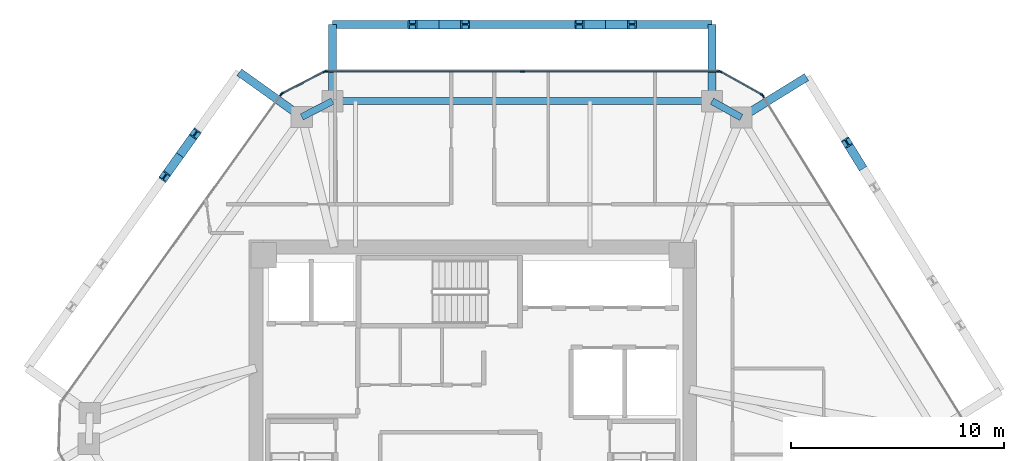
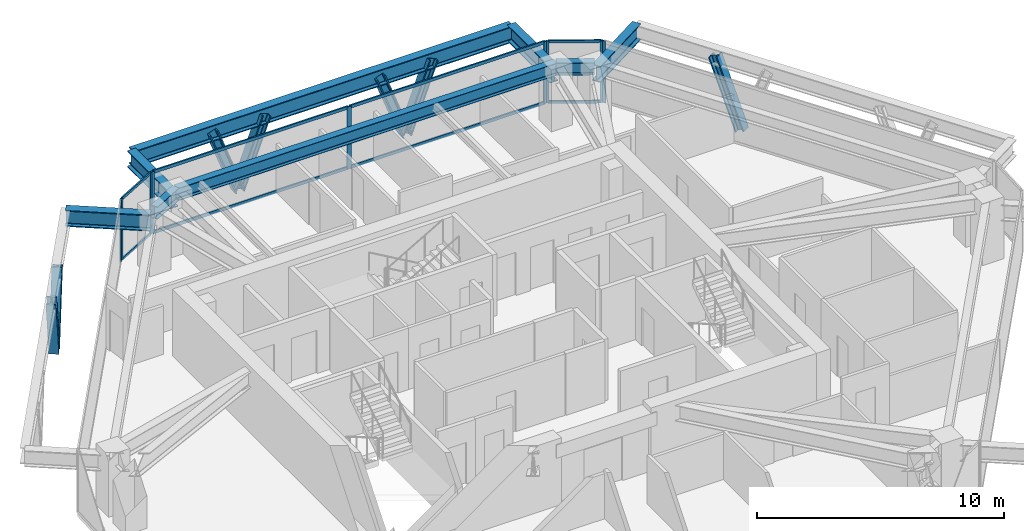
# One storey, part 6 of 11: 24 members, 8 beams, 5 elements without a shape of their own.
"""IFC4 building model written with IfcOpenShell, lengths in metres."""

from ifc_helpers import new_model, si_unit, direction, frame, origin, origin_2d, place, context, subcontext, project, spatial, rectangle, i_section, extrude, source, transform, mapped, material, layer, layer_set, material_profile, profile_set, type_object, type_shapes, element, aggregate, save


model = new_model("IFC4")

# Units and contexts
model_context = context("Model", 3, precision=1e-05, world=origin(), true_north=direction((0.0, 1.0)))
body_context = subcontext(model_context, "Body", "Model", "MODEL_VIEW")
ifc_project = project(units=[si_unit("LENGTHUNIT", "METRE"), si_unit("AREAUNIT", "SQUARE_METRE"), si_unit("VOLUMEUNIT", "CUBIC_METRE"), si_unit("PLANEANGLEUNIT", "RADIAN"), si_unit("MASSUNIT", "GRAM", prefix="KILO")], contexts=[model_context])

# Site, building, storey
site_placement = place(None, origin())
site = spatial("IfcSite", under=ifc_project, at=site_placement, CompositionType="ELEMENT")
building_placement = place(site_placement, origin())
building = spatial("IfcBuilding", under=site, at=building_placement, Name="Durnholm Broadcast Tower", CompositionType="ELEMENT")
storey_placement = place(building_placement, frame((0.0, 0.0, 177.10009765625)))
storey = spatial("IfcBuildingStorey", under=building, at=storey_placement, Name="L48", CompositionType="ELEMENT", Elevation=177.10009765625)

# Beams
ifc_material_1 = material(Name="Steel ASTM A992 Grade 50", Category="steel")
ifc_material_profile_1 = material_profile(ifc_material_1, i_section(OverallWidth=0.385009765625, OverallDepth=0.802978515625, WebThickness=0.023681640625, FlangeThickness=0.0419921875, FilletRadius=0.032958984375, at=origin_2d()), Name="W30X261")
ifc_profile_set_1 = profile_set([ifc_material_profile_1], Name="Steel ASTM A992 Grade 50")
beam_type_1 = type_object("IfcBeamType", Name="BM-EXO-TIE", PredefinedType="USERDEFINED", material=ifc_profile_set_1)
shared_shape_1 = source(origin(), body_context, "Body", "SweptSolid", [
    extrude(i_section(OverallWidth=0.385009765625, OverallDepth=0.802978515625, WebThickness=0.023681640625, FlangeThickness=0.0419921875, FilletRadius=0.032958984375, at=origin_2d()), origin(), (0.0, 0.0, 1.0), 3.4560546875),
])
for number, where, z_axis, x_axis, name in (
    (1, (12.713134765625, 14.327880859375, 2.308349609375), (0.850662348375, 0.525712439512, 0.0), (-0.525712439512, 0.850662348375, 0.0), "L48 exoskeleton stand-off tie bracket F3.2"),
    (2, (-8.138916015625, 14.360107421875, 2.308349609375), (-0.813079048773, 0.582153296346, 0.0), (-0.582153296346, -0.813079048773, 0.0), "L48 exoskeleton stand-off tie bracket F5.1"),
):
    element("IfcBeam", number, at=place(storey_placement, frame(where, z_axis=z_axis, x_axis=x_axis)), inside=storey, type_object=beam_type_1, Name=name, ObjectType="GIRDER", PredefinedType="USERDEFINED", context=body_context, shape_type="MappedRepresentation", body=[
        mapped(shared_shape_1, transform((0.0, 0.0, 0.0), x_axis=(1.0, 0.0, 0.0), y_axis=(0.0, 1.0, 0.0), z_axis=(0.0, 0.0, 1.0), scale=1.0)),
    ])
shared_shape_2 = source(origin(), body_context, "Body", "SweptSolid", [
    extrude(i_section(OverallWidth=0.385009765625, OverallDepth=0.802978515625, WebThickness=0.023681640625, FlangeThickness=0.0419921875, FilletRadius=0.032958984375, at=origin_2d()), origin(), (0.0, 0.0, 1.0), 3.455810546875),
])
for number, where, z_axis, x_axis, name in (
    (3, (11.217529296875, 15.162109375, 2.308349609375), (0.0, 1.0, 0.0), (-1.0, 0.0, 0.0), "L48 exoskeleton stand-off tie bracket F4.1"),
    (4, (-6.57861328125, 15.162109375, 2.308349609375), (0.0, 1.0, 0.0), (-1.0, 0.0, 0.0), "L48 exoskeleton stand-off tie bracket F4.2"),
):
    element("IfcBeam", number, at=place(storey_placement, frame(where, z_axis=z_axis, x_axis=x_axis)), inside=storey, type_object=beam_type_1, Name=name, ObjectType="GIRDER", PredefinedType="USERDEFINED", context=body_context, shape_type="MappedRepresentation", body=[
        mapped(shared_shape_2, transform((0.0, 0.0, 0.0), x_axis=(1.0, 0.0, 0.0), y_axis=(0.0, 1.0, 0.0), z_axis=(0.0, 0.0, 1.0), scale=1.0)),
    ])
ifc_material_profile_2 = material_profile(ifc_material_1, i_section(OverallWidth=0.3251953125, OverallDepth=0.6162109375, WebThickness=0.013916015625, FlangeThickness=0.021484375, FilletRadius=0.02783203125, at=origin_2d()), Name="W24X117")
ifc_profile_set_2 = profile_set([ifc_material_profile_2], Name="Steel ASTM A992 Grade 50")
beam_type_2 = type_object("IfcBeamType", Name="STL-SP-W24X117", PredefinedType="SPANDREL", material=ifc_profile_set_2)
shared_shape_3 = source(origin(), body_context, "Body", "SweptSolid", [
    extrude(i_section(OverallWidth=0.3251953125, OverallDepth=0.6162109375, WebThickness=0.013916015625, FlangeThickness=0.021484375, FilletRadius=0.02783203125, at=origin_2d()), origin(), (0.0, 0.0, 1.0), 1.62255859375),
])
beam_1_placement = place(storey_placement, frame((-8.021728515625, 14.2763671875, 2.73681640625), z_axis=(0.889406668864, 0.45711680934, 0.0), x_axis=(-0.45711680934, 0.889406668864, 0.0)))
element("IfcBeam", 5, at=beam_1_placement, inside=storey, type_object=beam_type_2, Name="L48 perimeter spandrel girder 04", PredefinedType="SPANDREL", context=body_context, shape_type="MappedRepresentation", body=[
    mapped(shared_shape_3, transform((0.0, 0.0, 0.0), x_axis=(1.0, 0.0, 0.0), y_axis=(0.0, 1.0, 0.0), z_axis=(0.0, 0.0, 1.0), scale=1.0)),
])
shared_shape_4 = source(origin(), body_context, "Body", "SweptSolid", [
    extrude(i_section(OverallWidth=0.3251953125, OverallDepth=0.6162109375, WebThickness=0.013916015625, FlangeThickness=0.021484375, FilletRadius=0.02783203125, at=origin_2d()), origin(), (0.0, 0.0, 1.0), 17.796142578125),
])
beam_2_placement = place(storey_placement, frame((-6.57861328125, 15.01806640625, 2.73681640625), z_axis=(1.0, 0.0, 0.0), x_axis=(0.0, 1.0, 0.0)))
element("IfcBeam", 6, at=beam_2_placement, inside=storey, type_object=beam_type_2, Name="L48 perimeter spandrel girder 05", PredefinedType="SPANDREL", context=body_context, shape_type="MappedRepresentation", body=[
    mapped(shared_shape_4, transform((0.0, 0.0, 0.0), x_axis=(1.0, 0.0, 0.0), y_axis=(0.0, 1.0, 0.0), z_axis=(0.0, 0.0, 1.0), scale=1.0)),
])
shared_shape_5 = source(origin(), body_context, "Body", "SweptSolid", [
    extrude(i_section(OverallWidth=0.3251953125, OverallDepth=0.6162109375, WebThickness=0.013916015625, FlangeThickness=0.021484375, FilletRadius=0.02783203125, at=origin_2d()), origin(), (0.0, 0.0, 1.0), 1.572509765625),
])
type_shapes(beam_type_2, [shared_shape_3, shared_shape_4, shared_shape_5])
beam_3_placement = place(storey_placement, frame((11.217529296875, 15.01806640625, 2.73681640625), z_axis=(0.873365144476, -0.487066037017, 0.0), x_axis=(0.487066037017, 0.873365144476, 0.0)))
element("IfcBeam", 7, at=beam_3_placement, inside=storey, type_object=beam_type_2, Name="L48 perimeter spandrel girder 06", PredefinedType="SPANDREL", context=body_context, shape_type="MappedRepresentation", body=[
    mapped(shared_shape_5, transform((0.0, 0.0, 0.0), x_axis=(1.0, 0.0, 0.0), y_axis=(0.0, 1.0, 0.0), z_axis=(0.0, 0.0, 1.0), scale=1.0)),
])
shared_shape_6 = source(origin(), body_context, "Body", "SweptSolid", [
    extrude(i_section(OverallWidth=0.385009765625, OverallDepth=0.802978515625, WebThickness=0.023681640625, FlangeThickness=0.0419921875, FilletRadius=0.032958984375, at=origin_2d()), origin(), (0.0, 0.0, 1.0), 17.796142578125),
])
type_shapes(beam_type_1, [shared_shape_1, shared_shape_2, shared_shape_6])
beam_4_placement = place(storey_placement, frame((11.217529296875, 18.617919921875, 2.308349609375), z_axis=(-1.0, 0.0, 0.0), x_axis=(0.0, -1.0, 0.0)))
element("IfcBeam", 8, at=beam_4_placement, inside=storey, type_object=beam_type_1, Name="L48 exoskeleton collector spandrel F4", PredefinedType="SPANDREL", context=body_context, shape_type="MappedRepresentation", body=[
    mapped(shared_shape_6, transform((0.0, 0.0, 0.0), x_axis=(1.0, 0.0, 0.0), y_axis=(0.0, 1.0, 0.0), z_axis=(0.0, 0.0, 1.0), scale=1.0)),
])

# Members
ifc_material_2 = material(Name="Steel ASTM A913 Grade 65", Category="steel")
ifc_material_profile_3 = material_profile(ifc_material_2, i_section(OverallWidth=0.412109375, OverallDepth=0.434814453125, WebThickness=0.035888671875, FlangeThickness=0.057373046875, FilletRadius=0.030517578125, at=origin_2d()), Name="W14X311")
ifc_profile_set_3 = profile_set([ifc_material_profile_3], Name="Steel ASTM A913 Grade 65")
member_type_1 = type_object("IfcMemberType", Name="STL-DG-W14X311", PredefinedType="BRACE", material=ifc_profile_set_3)
shared_shape_7 = source(origin(), body_context, "Body", "SweptSolid", [
    extrude(i_section(OverallWidth=0.412109375, OverallDepth=0.434814453125, WebThickness=0.035888671875, FlangeThickness=0.057373046875, FilletRadius=0.030517578125, at=origin_2d()), origin(), (0.0, 0.0, 1.0), 3.52294921875),
])
type_shapes(member_type_1, [shared_shape_7])
for number, where, z_axis, x_axis, name in (
    (9, (18.2001953125, 12.023193359375, -0.991455078125), (-0.184127186998, 0.297985285695, 0.936643981733), (-0.850699125742, -0.525652924906, 0.0), "L48 stand-off diagrid brace F3.D2.2"),
    (10, (6.234619140625, 18.617919921875, -0.991455078125), (0.350242321485, 0.0, 0.93665912489), (0.0, 1.0, 0.0), "L48 stand-off diagrid brace F4.D1.1"),
    (11, (6.234619140625, 18.617919921875, -0.991455078125), (-0.350242321485, 0.0, 0.93665912489), (0.0, -1.0, 0.0), "L48 stand-off diagrid brace F4.D1.2"),
    (12, (-1.595703125, 18.617919921875, -0.991455078125), (0.350242321485, 0.0, 0.93665912489), (0.0, 1.0, 0.0), "L48 stand-off diagrid brace F4.D2.1"),
    (13, (-1.595703125, 18.617919921875, -0.991455078125), (-0.350242321485, 0.0, 0.93665912489), (0.0, -1.0, 0.0), "L48 stand-off diagrid brace F4.D2.2"),
    (14, (-13.731689453125, 12.485595703125, -0.991455078125), (0.203882467945, 0.284756308901, 0.936667381628), (-0.813077820009, 0.582155012526, 0.0), "L48 stand-off diagrid brace F5.D1.1"),
    (15, (-13.731689453125, 12.485595703125, -0.991455078125), (-0.203882467945, -0.284756308901, 0.936667381628), (0.813077820009, -0.582155012526, 0.0), "L48 stand-off diagrid brace F5.D1.2"),
):
    element("IfcMember", number, at=place(storey_placement, frame(where, z_axis=z_axis, x_axis=x_axis)), inside=storey, type_object=member_type_1, Name=name, PredefinedType="BRACE", context=body_context, shape_type="MappedRepresentation", body=[
        mapped(shared_shape_7, transform((0.0, 0.0, 0.0), x_axis=(1.0, 0.0, 0.0), y_axis=(0.0, 1.0, 0.0), z_axis=(0.0, 0.0, 1.0), scale=1.0)),
    ])

# Curtain wall, members
ifc_material_3 = material(Name="Aluminium and Solar Control IGU", Category="aluminium")
ifc_layer_1 = layer(ifc_material_3, 0.1650390625)
ifc_layer_set_1 = layer_set([ifc_layer_1], Name="Aluminium and Solar Control IGU")
curtain_wall_type_1 = type_object("IfcCurtainWallType", Name="CW-SYS-5", PredefinedType="NOTDEFINED", material=ifc_layer_set_1)
curtain_wall_1_placement = place(storey_placement, origin())
curtain_wall_1 = element("IfcCurtainWall", 16, at=curtain_wall_1_placement, inside=storey, type_object=curtain_wall_type_1, Name="L48 curtain wall CW-CORNER CW-L48-CRN-03", PredefinedType="NOTDEFINED")
ifc_material_4 = material(Name="Aluminium 6063-T6", Category="aluminium")
ifc_material_profile_4 = material_profile(ifc_material_4, rectangle(XDim=0.06494140625, YDim=0.1650390625, at=origin_2d()), Name="CWM65X165")
ifc_profile_set_4 = profile_set([ifc_material_profile_4], Name="Aluminium 6063-T6")
member_type_2 = type_object("IfcMemberType", Name="CW-SYS-5-MUL", PredefinedType="MULLION", material=ifc_profile_set_4)
shared_shape_8 = source(origin(), body_context, "Body", "SweptSolid", [
    extrude(rectangle(XDim=0.06494140625, YDim=0.1650390625, at=origin_2d()), origin(), (0.0, 0.0, 1.0), 3.059814453125),
])
type_shapes(member_type_2, [shared_shape_8])
member_1_placement = place(storey_placement, frame((-8.93408203125, 15.381591796875, 0.0), z_axis=(0.0, 0.0, 1.0), x_axis=(-0.457081764476, 0.889424679545, 0.0)))
member_1 = element("IfcMember", 17, at=member_1_placement, type_object=member_type_2, Name="CW-CORNER mullion 1", PredefinedType="MULLION", context=body_context, shape_type="MappedRepresentation", body=[
    mapped(shared_shape_8, transform((0.0, 0.0, 0.0), x_axis=(1.0, 0.0, 0.0), y_axis=(0.0, 1.0, 0.0), z_axis=(0.0, 0.0, 1.0), scale=1.0)),
])
member_2_placement = place(storey_placement, frame((-6.9462890625, 16.403076171875, 0.0), z_axis=(0.0, 0.0, 1.0), x_axis=(-0.457081764476, 0.889424679545, 0.0)))
member_2 = element("IfcMember", 18, at=member_2_placement, type_object=member_type_2, Name="CW-CORNER mullion 2", PredefinedType="MULLION", context=body_context, shape_type="MappedRepresentation", body=[
    mapped(shared_shape_8, transform((0.0, 0.0, 0.0), x_axis=(1.0, 0.0, 0.0), y_axis=(0.0, 1.0, 0.0), z_axis=(0.0, 0.0, 1.0), scale=1.0)),
])

curtain_wall_2_placement = place(storey_placement, origin())
curtain_wall_2 = element("IfcCurtainWall", 19, at=curtain_wall_2_placement, inside=storey, type_object=curtain_wall_type_1, Name="L48 curtain wall CW-CORNER CW-L48-CRN-05", PredefinedType="NOTDEFINED")
member_3_placement = place(storey_placement, frame((11.60986328125, 16.402099609375, 0.0), z_axis=(0.0, 0.0, 1.0), x_axis=(0.486986043316, 0.873409751271, 0.0)))
member_3 = element("IfcMember", 20, at=member_3_placement, type_object=member_type_2, Name="CW-CORNER mullion 1", PredefinedType="MULLION", context=body_context, shape_type="MappedRepresentation", body=[
    mapped(shared_shape_8, transform((0.0, 0.0, 0.0), x_axis=(1.0, 0.0, 0.0), y_axis=(0.0, 1.0, 0.0), z_axis=(0.0, 0.0, 1.0), scale=1.0)),
])
member_4_placement = place(storey_placement, frame((13.56201171875, 15.313720703125, 0.0), z_axis=(0.0, 0.0, 1.0), x_axis=(0.486986043316, 0.873409751271, 0.0)))
member_4 = element("IfcMember", 21, at=member_4_placement, type_object=member_type_2, Name="CW-CORNER mullion 2", PredefinedType="MULLION", context=body_context, shape_type="MappedRepresentation", body=[
    mapped(shared_shape_8, transform((0.0, 0.0, 0.0), x_axis=(1.0, 0.0, 0.0), y_axis=(0.0, 1.0, 0.0), z_axis=(0.0, 0.0, 1.0), scale=1.0)),
])

# Member
ifc_material_profile_5 = material_profile(ifc_material_4, rectangle(XDim=0.06494140625, YDim=0.1298828125, at=origin_2d()), Name="CWT65X130")
ifc_profile_set_5 = profile_set([ifc_material_profile_5], Name="Aluminium 6063-T6")
member_type_3 = type_object("IfcMemberType", Name="CW-SYS-5-TRN", PredefinedType="USERDEFINED", material=ifc_profile_set_5)
shared_shape_9 = source(origin(), body_context, "Body", "SweptSolid", [
    extrude(rectangle(XDim=0.06494140625, YDim=0.1298828125, at=origin_2d()), origin(), (0.0, 0.0, 1.0), 2.169921875),
])
type_shapes(member_type_3, [shared_shape_9])
member_5_placement = place(storey_placement, frame((-8.9052734375, 15.396484375, 0.032470703125), z_axis=(0.889468148591, 0.456997169185, 0.0), x_axis=(-0.456997169185, 0.889468148591, 0.0)))
member_5 = element("IfcMember", 22, at=member_5_placement, type_object=member_type_3, Name="CW-CORNER transom 1.1", ObjectType="TRANSOM", PredefinedType="USERDEFINED", context=body_context, shape_type="MappedRepresentation", body=[
    mapped(shared_shape_9, transform((0.0, 0.0, 0.0), x_axis=(1.0, 0.0, 0.0), y_axis=(0.0, 1.0, 0.0), z_axis=(0.0, 0.0, 1.0), scale=1.0)),
])

member_6_placement = place(storey_placement, frame((-8.9052734375, 15.396484375, 3.02734375), z_axis=(0.889468148591, 0.456997169185, 0.0), x_axis=(-0.456997169185, 0.889468148591, 0.0)))
member_6 = element("IfcMember", 23, at=member_6_placement, type_object=member_type_3, Name="CW-CORNER transom 1.2", ObjectType="TRANSOM", PredefinedType="USERDEFINED", context=body_context, shape_type="MappedRepresentation", body=[
    mapped(shared_shape_9, transform((0.0, 0.0, 0.0), x_axis=(1.0, 0.0, 0.0), y_axis=(0.0, 1.0, 0.0), z_axis=(0.0, 0.0, 1.0), scale=1.0)),
])

aggregate(curtain_wall_1, [member_1, member_2, member_5, member_6])

member_7_placement = place(storey_placement, frame((11.63818359375, 16.38623046875, 0.032470703125), z_axis=(0.873429215361, -0.48695113282, 0.0), x_axis=(0.48695113282, 0.873429215361, 0.0)))
member_7 = element("IfcMember", 24, at=member_7_placement, type_object=member_type_3, Name="CW-CORNER transom 1.1", ObjectType="TRANSOM", PredefinedType="USERDEFINED", context=body_context, shape_type="MappedRepresentation", body=[
    mapped(shared_shape_9, transform((0.0, 0.0, 0.0), x_axis=(1.0, 0.0, 0.0), y_axis=(0.0, 1.0, 0.0), z_axis=(0.0, 0.0, 1.0), scale=1.0)),
])

member_8_placement = place(storey_placement, frame((11.63818359375, 16.38623046875, 3.02734375), z_axis=(0.873429215361, -0.48695113282, 0.0), x_axis=(0.48695113282, 0.873429215361, 0.0)))
member_8 = element("IfcMember", 25, at=member_8_placement, type_object=member_type_3, Name="CW-CORNER transom 1.2", ObjectType="TRANSOM", PredefinedType="USERDEFINED", context=body_context, shape_type="MappedRepresentation", body=[
    mapped(shared_shape_9, transform((0.0, 0.0, 0.0), x_axis=(1.0, 0.0, 0.0), y_axis=(0.0, 1.0, 0.0), z_axis=(0.0, 0.0, 1.0), scale=1.0)),
])

aggregate(curtain_wall_2, [member_3, member_4, member_7, member_8])

# Curtain wall, members
ifc_layer_2 = layer(ifc_material_3, 0.18994140625)
ifc_layer_set_2 = layer_set([ifc_layer_2], Name="Aluminium and Solar Control IGU")
curtain_wall_type_2 = type_object("IfcCurtainWallType", Name="CW-SYS-4", PredefinedType="NOTDEFINED", material=ifc_layer_set_2)
curtain_wall_3_placement = place(storey_placement, origin())
curtain_wall_3 = element("IfcCurtainWall", 26, at=curtain_wall_3_placement, inside=storey, type_object=curtain_wall_type_2, Name="L48 curtain wall CW-Z34-VIS CW-L48-F04", PredefinedType="NOTDEFINED")
ifc_material_profile_6 = material_profile(ifc_material_4, rectangle(XDim=0.070068359375, YDim=0.14990234375, at=origin_2d()), Name="CWT70X150")
ifc_profile_set_6 = profile_set([ifc_material_profile_6], Name="Aluminium 6063-T6")
member_type_4 = type_object("IfcMemberType", Name="CW-SYS-4-TRN", PredefinedType="USERDEFINED", material=ifc_profile_set_6)
shared_shape_10 = source(origin(), body_context, "Body", "SweptSolid", [
    extrude(rectangle(XDim=0.070068359375, YDim=0.14990234375, at=origin_2d()), origin(), (0.0, 0.0, 1.0), 9.14453125),
])
type_shapes(member_type_4, [shared_shape_10])
member_9_placement = place(storey_placement, frame((-6.847412109375, 16.41796875, 0.034912109375), z_axis=(1.0, 0.0, 0.0), x_axis=(0.0, 1.0, 0.0)))
member_9 = element("IfcMember", 27, at=member_9_placement, type_object=member_type_4, Name="CW-Z34-VIS transom 1.1", ObjectType="TRANSOM", PredefinedType="USERDEFINED", context=body_context, shape_type="MappedRepresentation", body=[
    mapped(shared_shape_10, transform((0.0, 0.0, 0.0), x_axis=(1.0, 0.0, 0.0), y_axis=(0.0, 1.0, 0.0), z_axis=(0.0, 0.0, 1.0), scale=1.0)),
])
member_10_placement = place(storey_placement, frame((-6.847412109375, 16.41796875, 3.02490234375), z_axis=(1.0, 0.0, 0.0), x_axis=(0.0, 1.0, 0.0)))
member_10 = element("IfcMember", 28, at=member_10_placement, type_object=member_type_4, Name="CW-Z34-VIS transom 1.2", ObjectType="TRANSOM", PredefinedType="USERDEFINED", context=body_context, shape_type="MappedRepresentation", body=[
    mapped(shared_shape_10, transform((0.0, 0.0, 0.0), x_axis=(1.0, 0.0, 0.0), y_axis=(0.0, 1.0, 0.0), z_axis=(0.0, 0.0, 1.0), scale=1.0)),
])
member_11_placement = place(storey_placement, frame((2.366943359375, 16.41796875, 0.034912109375), z_axis=(1.0, 0.0, 0.0), x_axis=(0.0, 1.0, 0.0)))
member_11 = element("IfcMember", 29, at=member_11_placement, type_object=member_type_4, Name="CW-Z34-VIS transom 2.1", ObjectType="TRANSOM", PredefinedType="USERDEFINED", context=body_context, shape_type="MappedRepresentation", body=[
    mapped(shared_shape_10, transform((0.0, 0.0, 0.0), x_axis=(1.0, 0.0, 0.0), y_axis=(0.0, 1.0, 0.0), z_axis=(0.0, 0.0, 1.0), scale=1.0)),
])
member_12_placement = place(storey_placement, frame((2.366943359375, 16.41796875, 3.02490234375), z_axis=(1.0, 0.0, 0.0), x_axis=(0.0, 1.0, 0.0)))
member_12 = element("IfcMember", 30, at=member_12_placement, type_object=member_type_4, Name="CW-Z34-VIS transom 2.2", ObjectType="TRANSOM", PredefinedType="USERDEFINED", context=body_context, shape_type="MappedRepresentation", body=[
    mapped(shared_shape_10, transform((0.0, 0.0, 0.0), x_axis=(1.0, 0.0, 0.0), y_axis=(0.0, 1.0, 0.0), z_axis=(0.0, 0.0, 1.0), scale=1.0)),
])

# Curtain wall, member
curtain_wall_4_placement = place(storey_placement, origin())
curtain_wall_4 = element("IfcCurtainWall", 31, at=curtain_wall_4_placement, inside=storey, type_object=curtain_wall_type_2, Name="L48 curtain wall CW-Z34-VIS CW-L48-F02", PredefinedType="NOTDEFINED")
ifc_material_profile_7 = material_profile(ifc_material_4, rectangle(XDim=0.070068359375, YDim=0.18994140625, at=origin_2d()), Name="CWM70X190")
ifc_profile_set_7 = profile_set([ifc_material_profile_7], Name="Aluminium 6063-T6")
member_type_5 = type_object("IfcMemberType", Name="CW-SYS-4-MUL", PredefinedType="MULLION", material=ifc_profile_set_7)
shared_shape_11 = source(origin(), body_context, "Body", "SweptSolid", [
    extrude(rectangle(XDim=0.070068359375, YDim=0.18994140625, at=origin_2d()), origin(), (0.0, 0.0, 1.0), 3.059814453125),
])
type_shapes(member_type_5, [shared_shape_11])
member_13_placement = place(storey_placement, frame((-8.9833984375, 15.338134765625, 0.0), z_axis=(0.0, 0.0, 1.0), x_axis=(-0.813089262696, 0.582139030549, 0.0)))
member_13 = element("IfcMember", 32, at=member_13_placement, type_object=member_type_5, Name="CW-Z34-VIS mullion 2", PredefinedType="MULLION", context=body_context, shape_type="MappedRepresentation", body=[
    mapped(shared_shape_11, transform((0.0, 0.0, 0.0), x_axis=(1.0, 0.0, 0.0), y_axis=(0.0, 1.0, 0.0), z_axis=(0.0, 0.0, 1.0), scale=1.0)),
])
aggregate(curtain_wall_4, [member_13])

# Member
member_14_placement = place(storey_placement, frame((-6.88232421875, 16.41796875, 0.0), z_axis=(0.0, 0.0, 1.0), x_axis=(0.0, 1.0, 0.0)))
member_14 = element("IfcMember", 33, at=member_14_placement, type_object=member_type_5, Name="CW-Z34-VIS mullion 1", PredefinedType="MULLION", context=body_context, shape_type="MappedRepresentation", body=[
    mapped(shared_shape_11, transform((0.0, 0.0, 0.0), x_axis=(1.0, 0.0, 0.0), y_axis=(0.0, 1.0, 0.0), z_axis=(0.0, 0.0, 1.0), scale=1.0)),
])

member_15_placement = place(storey_placement, frame((2.33203125, 16.41796875, 0.0), z_axis=(0.0, 0.0, 1.0), x_axis=(0.0, 1.0, 0.0)))
member_15 = element("IfcMember", 34, at=member_15_placement, type_object=member_type_5, Name="CW-Z34-VIS mullion 2", PredefinedType="MULLION", context=body_context, shape_type="MappedRepresentation", body=[
    mapped(shared_shape_11, transform((0.0, 0.0, 0.0), x_axis=(1.0, 0.0, 0.0), y_axis=(0.0, 1.0, 0.0), z_axis=(0.0, 0.0, 1.0), scale=1.0)),
])

member_16_placement = place(storey_placement, frame((11.54638671875, 16.41796875, 0.0), z_axis=(0.0, 0.0, 1.0), x_axis=(0.0, 1.0, 0.0)))
member_16 = element("IfcMember", 35, at=member_16_placement, type_object=member_type_5, Name="CW-Z34-VIS mullion 3", PredefinedType="MULLION", context=body_context, shape_type="MappedRepresentation", body=[
    mapped(shared_shape_11, transform((0.0, 0.0, 0.0), x_axis=(1.0, 0.0, 0.0), y_axis=(0.0, 1.0, 0.0), z_axis=(0.0, 0.0, 1.0), scale=1.0)),
])

aggregate(curtain_wall_3, [member_14, member_15, member_16, member_9, member_10, member_11, member_12])

# Curtain wall, member
curtain_wall_5_placement = place(storey_placement, origin())
curtain_wall_5 = element("IfcCurtainWall", 36, at=curtain_wall_5_placement, inside=storey, type_object=curtain_wall_type_2, Name="L48 curtain wall CW-Z34-VIS CW-L48-F06", PredefinedType="NOTDEFINED")
member_17_placement = place(storey_placement, frame((13.608642578125, 15.26806640625, 0.0), z_axis=(0.0, 0.0, 1.0), x_axis=(0.850671426092, 0.525697750452, 0.0)))
member_17 = element("IfcMember", 37, at=member_17_placement, type_object=member_type_5, Name="CW-Z34-VIS mullion 1", PredefinedType="MULLION", context=body_context, shape_type="MappedRepresentation", body=[
    mapped(shared_shape_11, transform((0.0, 0.0, 0.0), x_axis=(1.0, 0.0, 0.0), y_axis=(0.0, 1.0, 0.0), z_axis=(0.0, 0.0, 1.0), scale=1.0)),
])
aggregate(curtain_wall_5, [member_17])

save(model, "model.ifc")
